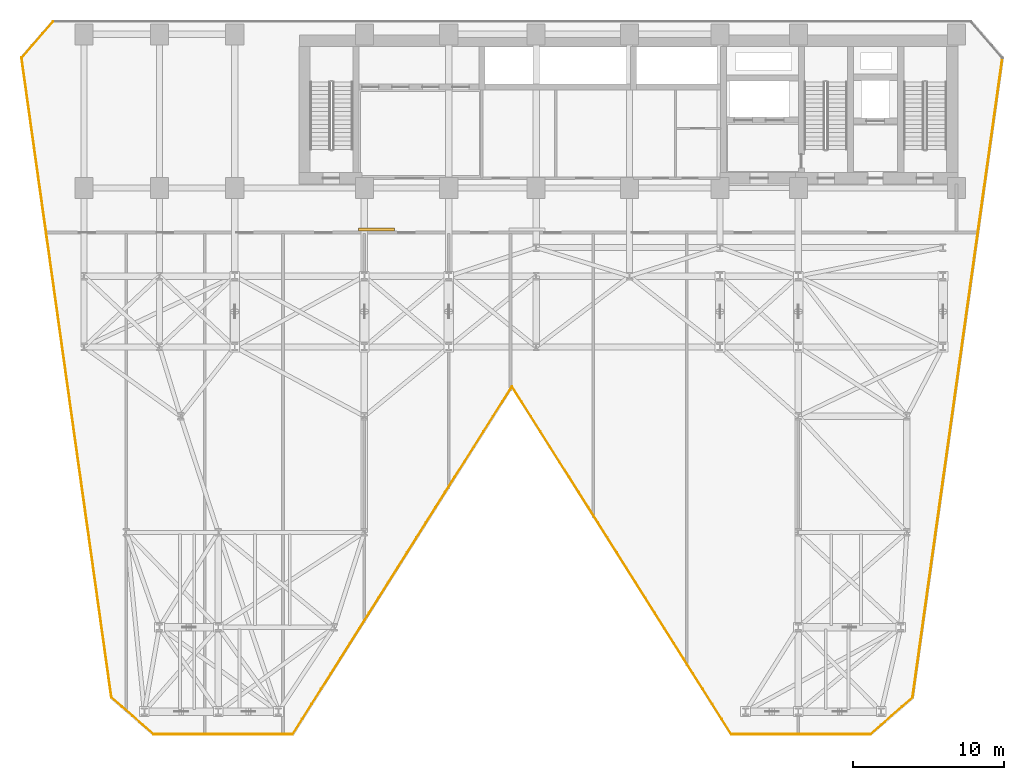
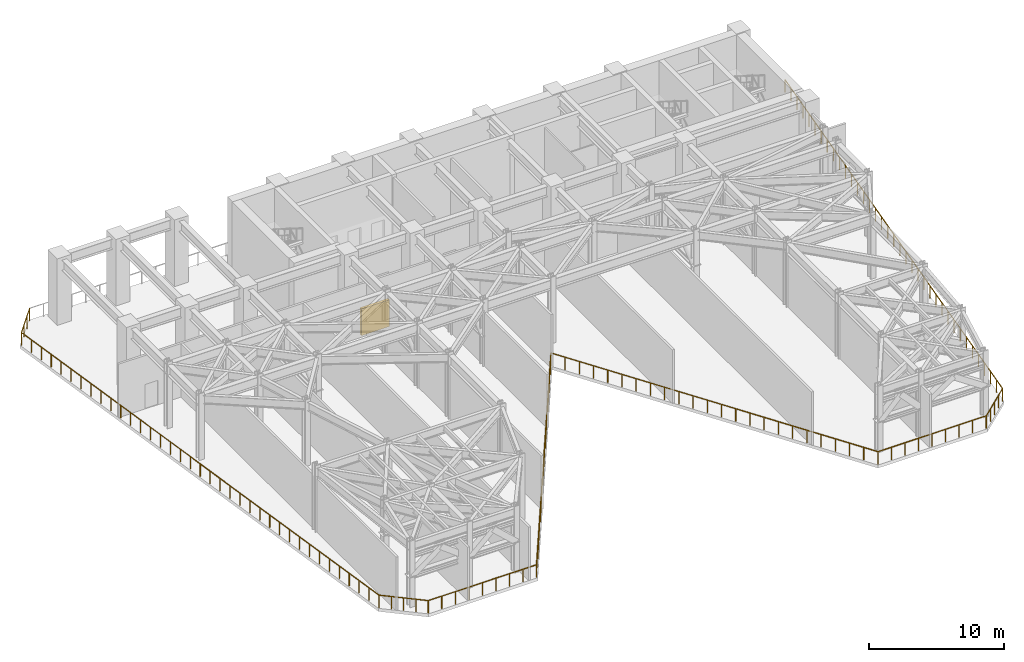
# One storey, part 9 of 12: 9 railings, 1 shading device.
"""IFC4 building model written with IfcOpenShell, lengths in metres."""

from ifc_helpers import new_model, si_unit, direction, frame, origin, origin_2d, place, context, subcontext, project, spatial, rectangle, circle, extrude, material, layer, layer_set, type_object, element, save


model = new_model("IFC4")

# Units and contexts
model_context = context("Model", 3, precision=1e-05, world=origin(), true_north=direction((0.0, 1.0)))
body_context = subcontext(model_context, "Body", "Model", "MODEL_VIEW")
ifc_project = project(units=[si_unit("LENGTHUNIT", "METRE"), si_unit("AREAUNIT", "SQUARE_METRE"), si_unit("VOLUMEUNIT", "CUBIC_METRE"), si_unit("PLANEANGLEUNIT", "RADIAN"), si_unit("MASSUNIT", "GRAM", prefix="KILO")], contexts=[model_context])

# Site, building, storey
site_placement = place(None, origin())
site = spatial("IfcSite", under=ifc_project, at=site_placement, CompositionType="ELEMENT")
building_placement = place(site_placement, origin())
building = spatial("IfcBuilding", under=site, at=building_placement, Name="Kravanh Interchange Tower", CompositionType="ELEMENT")
storey_placement = place(building_placement, frame((0.0, 0.0, 85.5)))
storey = spatial("IfcBuildingStorey", under=building, at=storey_placement, Name="L20", CompositionType="ELEMENT", Elevation=85.5)

# Shading device
ifc_material_1 = material(Name="Extruded Bronze Aluminium Acoustic Blades", Category="aluminium")
ifc_layer_1 = layer(ifc_material_1, 0.219970703125)
ifc_layer_set_1 = layer_set([ifc_layer_1], Name="Acoustic Weatherproof Plant Louvre Bank")
shading_device_type = type_object("IfcShadingDeviceType", Name="Acoustic Weatherproof Plant Louvre Bank", PredefinedType="JALOUSIE", material=ifc_layer_set_1)
shading_device_placement = place(storey_placement, frame((28.0, 34.60009765625, 0.0), z_axis=(0.0, 0.0, 1.0), x_axis=(1.0, 0.0, 0.0)))
element("IfcShadingDevice", 1, at=shading_device_placement, inside=storey, type_object=shading_device_type, Name="L20 Plant Acoustic Intake Louvre 1", PredefinedType="JALOUSIE", context=body_context, shape_type="SweptSolid", body=[
    extrude(rectangle(XDim=2.39990234375, YDim=0.219970703125, at=origin_2d()), origin(), (0.0, 0.0, 1.0), 2.39990234375),
])

# Railings
ifc_material_2 = material(Name="Structural Steel S355", Category="steel")
ifc_layer_2 = layer(ifc_material_2, 0.070068359375)
ifc_layer_set_2 = layer_set([ifc_layer_2], Name="Wind Storey Perimeter Safety Guardrail Structural Steel S355 1150mm")
railing_type = type_object("IfcRailingType", Name="Wind Storey Perimeter Safety Guardrail Structural Steel S355 1150mm", PredefinedType="GUARDRAIL", material=ifc_layer_set_2)
railing_1_placement = place(storey_placement, frame((10.421630859375, 3.526611328125, 0.0)))
element("IfcRailing", 2, at=railing_1_placement, inside=storey, type_object=railing_type, Name="L20 Open Wind Floor Perimeter Guardrail 1", PredefinedType="GUARDRAIL", context=body_context, shape_type="SweptSolid", body=[
    extrude(circle(Radius=0.02392578125, at=origin_2d()), frame((0.0, 0.0, 1.1259765625), z_axis=(-0.139172573885, 0.990268142817, 0.0), x_axis=(-0.990268142817, -0.139172573885, 0.0)), (0.0, 0.0, 1.0), 42.8837890625),
    extrude(circle(Radius=0.02099609375, at=origin_2d()), origin(), (0.0, 0.0, 1.0), 1.101806640625),
    extrude(circle(Radius=0.02099609375, at=origin_2d()), frame((-0.165771484375, 1.1796875, 0.0)), (0.0, 0.0, 1.0), 1.101806640625),
    extrude(circle(Radius=0.02099609375, at=origin_2d()), frame((-0.33154296875, 2.359375, 0.0)), (0.0, 0.0, 1.0), 1.101806640625),
    extrude(circle(Radius=0.02099609375, at=origin_2d()), frame((-0.497314453125, 3.538818359375, 0.0)), (0.0, 0.0, 1.0), 1.101806640625),
    extrude(circle(Radius=0.02099609375, at=origin_2d()), frame((-0.6630859375, 4.718505859375, 0.0)), (0.0, 0.0, 1.0), 1.101806640625),
    extrude(circle(Radius=0.02099609375, at=origin_2d()), frame((-0.828857421875, 5.898193359375, 0.0)), (0.0, 0.0, 1.0), 1.101806640625),
    extrude(circle(Radius=0.02099609375, at=origin_2d()), frame((-0.99462890625, 7.07763671875, 0.0)), (0.0, 0.0, 1.0), 1.101806640625),
    extrude(circle(Radius=0.02099609375, at=origin_2d()), frame((-1.160400390625, 8.25732421875, 0.0)), (0.0, 0.0, 1.0), 1.101806640625),
    extrude(circle(Radius=0.02099609375, at=origin_2d()), frame((-1.326171875, 9.43701171875, 0.0)), (0.0, 0.0, 1.0), 1.101806640625),
    extrude(circle(Radius=0.02099609375, at=origin_2d()), frame((-1.4921875, 10.61669921875, 0.0)), (0.0, 0.0, 1.0), 1.101806640625),
    extrude(circle(Radius=0.02099609375, at=origin_2d()), frame((-1.657958984375, 11.79638671875, 0.0)), (0.0, 0.0, 1.0), 1.101806640625),
    extrude(circle(Radius=0.02099609375, at=origin_2d()), frame((-1.82373046875, 12.975830078125, 0.0)), (0.0, 0.0, 1.0), 1.101806640625),
    extrude(circle(Radius=0.02099609375, at=origin_2d()), frame((-1.989501953125, 14.155517578125, 0.0)), (0.0, 0.0, 1.0), 1.101806640625),
    extrude(circle(Radius=0.02099609375, at=origin_2d()), frame((-2.1552734375, 15.335205078125, 0.0)), (0.0, 0.0, 1.0), 1.101806640625),
    extrude(circle(Radius=0.02099609375, at=origin_2d()), frame((-2.321044921875, 16.5146484375, 0.0)), (0.0, 0.0, 1.0), 1.101806640625),
    extrude(circle(Radius=0.02099609375, at=origin_2d()), frame((-2.48681640625, 17.6943359375, 0.0)), (0.0, 0.0, 1.0), 1.101806640625),
    extrude(circle(Radius=0.02099609375, at=origin_2d()), frame((-2.652587890625, 18.8740234375, 0.0)), (0.0, 0.0, 1.0), 1.101806640625),
    extrude(circle(Radius=0.02099609375, at=origin_2d()), frame((-2.818359375, 20.0537109375, 0.0)), (0.0, 0.0, 1.0), 1.101806640625),
    extrude(circle(Radius=0.02099609375, at=origin_2d()), frame((-2.984130859375, 21.2333984375, 0.0)), (0.0, 0.0, 1.0), 1.101806640625),
    extrude(circle(Radius=0.02099609375, at=origin_2d()), frame((-3.14990234375, 22.412841796875, 0.0)), (0.0, 0.0, 1.0), 1.101806640625),
    extrude(circle(Radius=0.02099609375, at=origin_2d()), frame((-3.315673828125, 23.592529296875, 0.0)), (0.0, 0.0, 1.0), 1.101806640625),
    extrude(circle(Radius=0.02099609375, at=origin_2d()), frame((-3.4814453125, 24.772216796875, 0.0)), (0.0, 0.0, 1.0), 1.101806640625),
    extrude(circle(Radius=0.02099609375, at=origin_2d()), frame((-3.647216796875, 25.951904296875, 0.0)), (0.0, 0.0, 1.0), 1.101806640625),
    extrude(circle(Radius=0.02099609375, at=origin_2d()), frame((-3.81298828125, 27.13134765625, 0.0)), (0.0, 0.0, 1.0), 1.101806640625),
    extrude(circle(Radius=0.02099609375, at=origin_2d()), frame((-3.978759765625, 28.31103515625, 0.0)), (0.0, 0.0, 1.0), 1.101806640625),
    extrude(circle(Radius=0.02099609375, at=origin_2d()), frame((-4.14453125, 29.49072265625, 0.0)), (0.0, 0.0, 1.0), 1.101806640625),
    extrude(circle(Radius=0.02099609375, at=origin_2d()), frame((-4.310302734375, 30.67041015625, 0.0)), (0.0, 0.0, 1.0), 1.101806640625),
    extrude(circle(Radius=0.02099609375, at=origin_2d()), frame((-4.47607421875, 31.849853515625, 0.0)), (0.0, 0.0, 1.0), 1.101806640625),
    extrude(circle(Radius=0.02099609375, at=origin_2d()), frame((-4.64208984375, 33.029541015625, 0.0)), (0.0, 0.0, 1.0), 1.101806640625),
    extrude(circle(Radius=0.02099609375, at=origin_2d()), frame((-4.807861328125, 34.209228515625, 0.0)), (0.0, 0.0, 1.0), 1.101806640625),
    extrude(circle(Radius=0.02099609375, at=origin_2d()), frame((-4.9736328125, 35.388671875, 0.0)), (0.0, 0.0, 1.0), 1.101806640625),
    extrude(circle(Radius=0.02099609375, at=origin_2d()), frame((-5.139404296875, 36.568359375, 0.0)), (0.0, 0.0, 1.0), 1.101806640625),
    extrude(circle(Radius=0.02099609375, at=origin_2d()), frame((-5.30517578125, 37.748046875, 0.0)), (0.0, 0.0, 1.0), 1.101806640625),
    extrude(circle(Radius=0.02099609375, at=origin_2d()), frame((-5.470947265625, 38.927734375, 0.0)), (0.0, 0.0, 1.0), 1.101806640625),
    extrude(circle(Radius=0.02099609375, at=origin_2d()), frame((-5.63671875, 40.107421875, 0.0)), (0.0, 0.0, 1.0), 1.101806640625),
    extrude(circle(Radius=0.02099609375, at=origin_2d()), frame((-5.802490234375, 41.286865234375, 0.0)), (0.0, 0.0, 1.0), 1.101806640625),
    extrude(circle(Radius=0.02099609375, at=origin_2d()), frame((-5.96826171875, 42.466552734375, 0.0)), (0.0, 0.0, 1.0), 1.101806640625),
])
railing_2_placement = place(storey_placement, frame((4.453369140625, 45.9931640625, 0.0)))
element("IfcRailing", 3, at=railing_2_placement, inside=storey, type_object=railing_type, Name="L20 Open Wind Floor Perimeter Guardrail 2", PredefinedType="GUARDRAIL", context=body_context, shape_type="SweptSolid", body=[
    extrude(circle(Radius=0.02392578125, at=origin_2d()), frame((0.0, 0.0, 1.1259765625), z_axis=(0.656083941969, 0.754687922979, 0.0), x_axis=(-0.754687922979, 0.656083941969, 0.0)), (0.0, 0.0, 1.0), 3.18896484375),
    extrude(circle(Radius=0.02099609375, at=origin_2d()), origin(), (0.0, 0.0, 1.0), 1.101806640625),
    extrude(circle(Radius=0.02099609375, at=origin_2d()), frame((0.697509765625, 0.80224609375, 0.0)), (0.0, 0.0, 1.0), 1.101806640625),
    extrude(circle(Radius=0.02099609375, at=origin_2d()), frame((1.394775390625, 1.6044921875, 0.0)), (0.0, 0.0, 1.0), 1.101806640625),
    extrude(circle(Radius=0.02099609375, at=origin_2d()), frame((2.09228515625, 2.40673828125, 0.0)), (0.0, 0.0, 1.0), 1.101806640625),
])
railing_3_placement = place(storey_placement, frame((69.546630859375, 45.9931640625, 0.0)))
element("IfcRailing", 4, at=railing_3_placement, inside=storey, type_object=railing_type, Name="L20 Open Wind Floor Perimeter Guardrail 5", PredefinedType="GUARDRAIL", context=body_context, shape_type="SweptSolid", body=[
    extrude(circle(Radius=0.02392578125, at=origin_2d()), frame((0.0, 0.0, 1.1259765625), z_axis=(-0.139172573885, -0.990268142817, 0.0), x_axis=(0.990268142817, -0.139172573885, 0.0)), (0.0, 0.0, 1.0), 42.8837890625),
    extrude(circle(Radius=0.02099609375, at=origin_2d()), origin(), (0.0, 0.0, 1.0), 1.101806640625),
    extrude(circle(Radius=0.02099609375, at=origin_2d()), frame((-0.165771484375, -1.1796875, 0.0)), (0.0, 0.0, 1.0), 1.101806640625),
    extrude(circle(Radius=0.02099609375, at=origin_2d()), frame((-0.33154296875, -2.359375, 0.0)), (0.0, 0.0, 1.0), 1.101806640625),
    extrude(circle(Radius=0.02099609375, at=origin_2d()), frame((-0.497314453125, -3.538818359375, 0.0)), (0.0, 0.0, 1.0), 1.101806640625),
    extrude(circle(Radius=0.02099609375, at=origin_2d()), frame((-0.6630859375, -4.718505859375, 0.0)), (0.0, 0.0, 1.0), 1.101806640625),
    extrude(circle(Radius=0.02099609375, at=origin_2d()), frame((-0.828857421875, -5.898193359375, 0.0)), (0.0, 0.0, 1.0), 1.101806640625),
    extrude(circle(Radius=0.02099609375, at=origin_2d()), frame((-0.99462890625, -7.07763671875, 0.0)), (0.0, 0.0, 1.0), 1.101806640625),
    extrude(circle(Radius=0.02099609375, at=origin_2d()), frame((-1.160400390625, -8.25732421875, 0.0)), (0.0, 0.0, 1.0), 1.101806640625),
    extrude(circle(Radius=0.02099609375, at=origin_2d()), frame((-1.326171875, -9.43701171875, 0.0)), (0.0, 0.0, 1.0), 1.101806640625),
    extrude(circle(Radius=0.02099609375, at=origin_2d()), frame((-1.4921875, -10.61669921875, 0.0)), (0.0, 0.0, 1.0), 1.101806640625),
    extrude(circle(Radius=0.02099609375, at=origin_2d()), frame((-1.657958984375, -11.79638671875, 0.0)), (0.0, 0.0, 1.0), 1.101806640625),
    extrude(circle(Radius=0.02099609375, at=origin_2d()), frame((-1.82373046875, -12.975830078125, 0.0)), (0.0, 0.0, 1.0), 1.101806640625),
    extrude(circle(Radius=0.02099609375, at=origin_2d()), frame((-1.989501953125, -14.155517578125, 0.0)), (0.0, 0.0, 1.0), 1.101806640625),
    extrude(circle(Radius=0.02099609375, at=origin_2d()), frame((-2.1552734375, -15.335205078125, 0.0)), (0.0, 0.0, 1.0), 1.101806640625),
    extrude(circle(Radius=0.02099609375, at=origin_2d()), frame((-2.321044921875, -16.5146484375, 0.0)), (0.0, 0.0, 1.0), 1.101806640625),
    extrude(circle(Radius=0.02099609375, at=origin_2d()), frame((-2.48681640625, -17.6943359375, 0.0)), (0.0, 0.0, 1.0), 1.101806640625),
    extrude(circle(Radius=0.02099609375, at=origin_2d()), frame((-2.652587890625, -18.8740234375, 0.0)), (0.0, 0.0, 1.0), 1.101806640625),
    extrude(circle(Radius=0.02099609375, at=origin_2d()), frame((-2.818359375, -20.0537109375, 0.0)), (0.0, 0.0, 1.0), 1.101806640625),
    extrude(circle(Radius=0.02099609375, at=origin_2d()), frame((-2.984130859375, -21.2333984375, 0.0)), (0.0, 0.0, 1.0), 1.101806640625),
    extrude(circle(Radius=0.02099609375, at=origin_2d()), frame((-3.14990234375, -22.412841796875, 0.0)), (0.0, 0.0, 1.0), 1.101806640625),
    extrude(circle(Radius=0.02099609375, at=origin_2d()), frame((-3.315673828125, -23.592529296875, 0.0)), (0.0, 0.0, 1.0), 1.101806640625),
    extrude(circle(Radius=0.02099609375, at=origin_2d()), frame((-3.4814453125, -24.772216796875, 0.0)), (0.0, 0.0, 1.0), 1.101806640625),
    extrude(circle(Radius=0.02099609375, at=origin_2d()), frame((-3.647216796875, -25.951904296875, 0.0)), (0.0, 0.0, 1.0), 1.101806640625),
    extrude(circle(Radius=0.02099609375, at=origin_2d()), frame((-3.81298828125, -27.13134765625, 0.0)), (0.0, 0.0, 1.0), 1.101806640625),
    extrude(circle(Radius=0.02099609375, at=origin_2d()), frame((-3.978759765625, -28.31103515625, 0.0)), (0.0, 0.0, 1.0), 1.101806640625),
    extrude(circle(Radius=0.02099609375, at=origin_2d()), frame((-4.14453125, -29.49072265625, 0.0)), (0.0, 0.0, 1.0), 1.101806640625),
    extrude(circle(Radius=0.02099609375, at=origin_2d()), frame((-4.310302734375, -30.67041015625, 0.0)), (0.0, 0.0, 1.0), 1.101806640625),
    extrude(circle(Radius=0.02099609375, at=origin_2d()), frame((-4.47607421875, -31.849853515625, 0.0)), (0.0, 0.0, 1.0), 1.101806640625),
    extrude(circle(Radius=0.02099609375, at=origin_2d()), frame((-4.64208984375, -33.029541015625, 0.0)), (0.0, 0.0, 1.0), 1.101806640625),
    extrude(circle(Radius=0.02099609375, at=origin_2d()), frame((-4.807861328125, -34.209228515625, 0.0)), (0.0, 0.0, 1.0), 1.101806640625),
    extrude(circle(Radius=0.02099609375, at=origin_2d()), frame((-4.9736328125, -35.388671875, 0.0)), (0.0, 0.0, 1.0), 1.101806640625),
    extrude(circle(Radius=0.02099609375, at=origin_2d()), frame((-5.139404296875, -36.568359375, 0.0)), (0.0, 0.0, 1.0), 1.101806640625),
    extrude(circle(Radius=0.02099609375, at=origin_2d()), frame((-5.30517578125, -37.748046875, 0.0)), (0.0, 0.0, 1.0), 1.101806640625),
    extrude(circle(Radius=0.02099609375, at=origin_2d()), frame((-5.470947265625, -38.927734375, 0.0)), (0.0, 0.0, 1.0), 1.101806640625),
    extrude(circle(Radius=0.02099609375, at=origin_2d()), frame((-5.63671875, -40.107421875, 0.0)), (0.0, 0.0, 1.0), 1.101806640625),
    extrude(circle(Radius=0.02099609375, at=origin_2d()), frame((-5.802490234375, -41.286865234375, 0.0)), (0.0, 0.0, 1.0), 1.101806640625),
    extrude(circle(Radius=0.02099609375, at=origin_2d()), frame((-5.96826171875, -42.466552734375, 0.0)), (0.0, 0.0, 1.0), 1.101806640625),
])
railing_4_placement = place(storey_placement, frame((63.578369140625, 3.526611328125, 0.0)))
element("IfcRailing", 5, at=railing_4_placement, inside=storey, type_object=railing_type, Name="L20 Open Wind Floor Perimeter Guardrail 6", PredefinedType="GUARDRAIL", context=body_context, shape_type="SweptSolid", body=[
    extrude(circle(Radius=0.02392578125, at=origin_2d()), frame((0.0, 0.0, 1.1259765625), z_axis=(-0.754723455652, -0.656043066794, 0.0), x_axis=(0.656043066794, -0.754723455652, 0.0)), (0.0, 0.0, 1.0), 3.69873046875),
    extrude(circle(Radius=0.02099609375, at=origin_2d()), origin(), (0.0, 0.0, 1.0), 1.101806640625),
    extrude(circle(Radius=0.02099609375, at=origin_2d()), frame((-0.69775390625, -0.606689453125, 0.0)), (0.0, 0.0, 1.0), 1.101806640625),
    extrude(circle(Radius=0.02099609375, at=origin_2d()), frame((-1.395751953125, -1.21337890625, 0.0)), (0.0, 0.0, 1.0), 1.101806640625),
    extrude(circle(Radius=0.02099609375, at=origin_2d()), frame((-2.09375, -1.81982421875, 0.0)), (0.0, 0.0, 1.0), 1.101806640625),
    extrude(circle(Radius=0.02099609375, at=origin_2d()), frame((-2.79150390625, -2.426513671875, 0.0)), (0.0, 0.0, 1.0), 1.101806640625),
])
railing_5_placement = place(storey_placement, frame((60.786865234375, 1.10009765625, 0.0)))
element("IfcRailing", 6, at=railing_5_placement, inside=storey, type_object=railing_type, Name="L20 Open Wind Floor Perimeter Guardrail 7", PredefinedType="GUARDRAIL", context=body_context, shape_type="SweptSolid", body=[
    extrude(circle(Radius=0.02392578125, at=origin_2d()), frame((0.0, 0.0, 1.1259765625), z_axis=(-1.0, 0.0, 0.0), x_axis=(0.0, -1.0, 0.0)), (0.0, 0.0, 1.0), 9.231689453125),
    extrude(circle(Radius=0.02099609375, at=origin_2d()), origin(), (0.0, 0.0, 1.0), 1.101806640625),
    extrude(circle(Radius=0.02099609375, at=origin_2d()), frame((-1.154052734375, 0.0, 0.0)), (0.0, 0.0, 1.0), 1.101806640625),
    extrude(circle(Radius=0.02099609375, at=origin_2d()), frame((-2.307861328125, 0.0, 0.0)), (0.0, 0.0, 1.0), 1.101806640625),
    extrude(circle(Radius=0.02099609375, at=origin_2d()), frame((-3.4619140625, 0.0, 0.0)), (0.0, 0.0, 1.0), 1.101806640625),
    extrude(circle(Radius=0.02099609375, at=origin_2d()), frame((-4.61572265625, 0.0, 0.0)), (0.0, 0.0, 1.0), 1.101806640625),
    extrude(circle(Radius=0.02099609375, at=origin_2d()), frame((-5.769775390625, 0.0, 0.0)), (0.0, 0.0, 1.0), 1.101806640625),
    extrude(circle(Radius=0.02099609375, at=origin_2d()), frame((-6.923828125, 0.0, 0.0)), (0.0, 0.0, 1.0), 1.101806640625),
    extrude(circle(Radius=0.02099609375, at=origin_2d()), frame((-8.07763671875, 0.0, 0.0)), (0.0, 0.0, 1.0), 1.101806640625),
    extrude(circle(Radius=0.02099609375, at=origin_2d()), frame((-9.231689453125, 0.0, 0.0)), (0.0, 0.0, 1.0), 1.101806640625),
])
railing_6_placement = place(storey_placement, frame((51.55517578125, 1.10009765625, 0.0)))
element("IfcRailing", 7, at=railing_6_placement, inside=storey, type_object=railing_type, Name="L20 Open Wind Floor Perimeter Guardrail 8", PredefinedType="GUARDRAIL", context=body_context, shape_type="SweptSolid", body=[
    extrude(circle(Radius=0.02392578125, at=origin_2d()), frame((0.0, 0.0, 1.1259765625), z_axis=(-0.533302871563, 0.845924374387, 0.0), x_axis=(-0.845924374387, -0.533302871563, 0.0)), (0.0, 0.0, 1.0), 27.29248046875),
    extrude(circle(Radius=0.02099609375, at=origin_2d()), origin(), (0.0, 0.0, 1.0), 1.101806640625),
    extrude(circle(Radius=0.02099609375, at=origin_2d()), frame((-0.6328125, 1.00390625, 0.0)), (0.0, 0.0, 1.0), 1.101806640625),
    extrude(circle(Radius=0.02099609375, at=origin_2d()), frame((-1.265625, 2.007568359375, 0.0)), (0.0, 0.0, 1.0), 1.101806640625),
    extrude(circle(Radius=0.02099609375, at=origin_2d()), frame((-1.8984375, 3.011474609375, 0.0)), (0.0, 0.0, 1.0), 1.101806640625),
    extrude(circle(Radius=0.02099609375, at=origin_2d()), frame((-2.53125, 4.01513671875, 0.0)), (0.0, 0.0, 1.0), 1.101806640625),
    extrude(circle(Radius=0.02099609375, at=origin_2d()), frame((-3.1640625, 5.01904296875, 0.0)), (0.0, 0.0, 1.0), 1.101806640625),
    extrude(circle(Radius=0.02099609375, at=origin_2d()), frame((-3.797119140625, 6.022705078125, 0.0)), (0.0, 0.0, 1.0), 1.101806640625),
    extrude(circle(Radius=0.02099609375, at=origin_2d()), frame((-4.429931640625, 7.026611328125, 0.0)), (0.0, 0.0, 1.0), 1.101806640625),
    extrude(circle(Radius=0.02099609375, at=origin_2d()), frame((-5.062744140625, 8.030517578125, 0.0)), (0.0, 0.0, 1.0), 1.101806640625),
    extrude(circle(Radius=0.02099609375, at=origin_2d()), frame((-5.695556640625, 9.0341796875, 0.0)), (0.0, 0.0, 1.0), 1.101806640625),
    extrude(circle(Radius=0.02099609375, at=origin_2d()), frame((-6.328369140625, 10.0380859375, 0.0)), (0.0, 0.0, 1.0), 1.101806640625),
    extrude(circle(Radius=0.02099609375, at=origin_2d()), frame((-6.961181640625, 11.041748046875, 0.0)), (0.0, 0.0, 1.0), 1.101806640625),
    extrude(circle(Radius=0.02099609375, at=origin_2d()), frame((-7.593994140625, 12.045654296875, 0.0)), (0.0, 0.0, 1.0), 1.101806640625),
    extrude(circle(Radius=0.02099609375, at=origin_2d()), frame((-8.226806640625, 13.04931640625, 0.0)), (0.0, 0.0, 1.0), 1.101806640625),
    extrude(circle(Radius=0.02099609375, at=origin_2d()), frame((-8.859619140625, 14.05322265625, 0.0)), (0.0, 0.0, 1.0), 1.101806640625),
    extrude(circle(Radius=0.02099609375, at=origin_2d()), frame((-9.492431640625, 15.056884765625, 0.0)), (0.0, 0.0, 1.0), 1.101806640625),
    extrude(circle(Radius=0.02099609375, at=origin_2d()), frame((-10.125244140625, 16.060791015625, 0.0)), (0.0, 0.0, 1.0), 1.101806640625),
    extrude(circle(Radius=0.02099609375, at=origin_2d()), frame((-10.758056640625, 17.064697265625, 0.0)), (0.0, 0.0, 1.0), 1.101806640625),
    extrude(circle(Radius=0.02099609375, at=origin_2d()), frame((-11.39111328125, 18.068359375, 0.0)), (0.0, 0.0, 1.0), 1.101806640625),
    extrude(circle(Radius=0.02099609375, at=origin_2d()), frame((-12.02392578125, 19.072265625, 0.0)), (0.0, 0.0, 1.0), 1.101806640625),
    extrude(circle(Radius=0.02099609375, at=origin_2d()), frame((-12.65673828125, 20.075927734375, 0.0)), (0.0, 0.0, 1.0), 1.101806640625),
    extrude(circle(Radius=0.02099609375, at=origin_2d()), frame((-13.28955078125, 21.079833984375, 0.0)), (0.0, 0.0, 1.0), 1.101806640625),
    extrude(circle(Radius=0.02099609375, at=origin_2d()), frame((-13.92236328125, 22.08349609375, 0.0)), (0.0, 0.0, 1.0), 1.101806640625),
    extrude(circle(Radius=0.02099609375, at=origin_2d()), frame((-14.55517578125, 23.08740234375, 0.0)), (0.0, 0.0, 1.0), 1.101806640625),
])
railing_7_placement = place(storey_placement, frame((37.0, 24.1875, 0.0)))
element("IfcRailing", 8, at=railing_7_placement, inside=storey, type_object=railing_type, Name="L20 Open Wind Floor Perimeter Guardrail 9", PredefinedType="GUARDRAIL", context=body_context, shape_type="SweptSolid", body=[
    extrude(circle(Radius=0.02392578125, at=origin_2d()), frame((0.0, 0.0, 1.1259765625), z_axis=(-0.533302871563, -0.845924374387, 0.0), x_axis=(0.845924374387, -0.533302871563, 0.0)), (0.0, 0.0, 1.0), 27.29248046875),
    extrude(circle(Radius=0.02099609375, at=origin_2d()), origin(), (0.0, 0.0, 1.0), 1.101806640625),
    extrude(circle(Radius=0.02099609375, at=origin_2d()), frame((-0.6328125, -1.00390625, 0.0)), (0.0, 0.0, 1.0), 1.101806640625),
    extrude(circle(Radius=0.02099609375, at=origin_2d()), frame((-1.265625, -2.007568359375, 0.0)), (0.0, 0.0, 1.0), 1.101806640625),
    extrude(circle(Radius=0.02099609375, at=origin_2d()), frame((-1.8984375, -3.011474609375, 0.0)), (0.0, 0.0, 1.0), 1.101806640625),
    extrude(circle(Radius=0.02099609375, at=origin_2d()), frame((-2.53125, -4.01513671875, 0.0)), (0.0, 0.0, 1.0), 1.101806640625),
    extrude(circle(Radius=0.02099609375, at=origin_2d()), frame((-3.1640625, -5.01904296875, 0.0)), (0.0, 0.0, 1.0), 1.101806640625),
    extrude(circle(Radius=0.02099609375, at=origin_2d()), frame((-3.797119140625, -6.022705078125, 0.0)), (0.0, 0.0, 1.0), 1.101806640625),
    extrude(circle(Radius=0.02099609375, at=origin_2d()), frame((-4.429931640625, -7.026611328125, 0.0)), (0.0, 0.0, 1.0), 1.101806640625),
    extrude(circle(Radius=0.02099609375, at=origin_2d()), frame((-5.062744140625, -8.030517578125, 0.0)), (0.0, 0.0, 1.0), 1.101806640625),
    extrude(circle(Radius=0.02099609375, at=origin_2d()), frame((-5.695556640625, -9.0341796875, 0.0)), (0.0, 0.0, 1.0), 1.101806640625),
    extrude(circle(Radius=0.02099609375, at=origin_2d()), frame((-6.328369140625, -10.0380859375, 0.0)), (0.0, 0.0, 1.0), 1.101806640625),
    extrude(circle(Radius=0.02099609375, at=origin_2d()), frame((-6.961181640625, -11.041748046875, 0.0)), (0.0, 0.0, 1.0), 1.101806640625),
    extrude(circle(Radius=0.02099609375, at=origin_2d()), frame((-7.593994140625, -12.045654296875, 0.0)), (0.0, 0.0, 1.0), 1.101806640625),
    extrude(circle(Radius=0.02099609375, at=origin_2d()), frame((-8.226806640625, -13.04931640625, 0.0)), (0.0, 0.0, 1.0), 1.101806640625),
    extrude(circle(Radius=0.02099609375, at=origin_2d()), frame((-8.859619140625, -14.05322265625, 0.0)), (0.0, 0.0, 1.0), 1.101806640625),
    extrude(circle(Radius=0.02099609375, at=origin_2d()), frame((-9.492431640625, -15.056884765625, 0.0)), (0.0, 0.0, 1.0), 1.101806640625),
    extrude(circle(Radius=0.02099609375, at=origin_2d()), frame((-10.125244140625, -16.060791015625, 0.0)), (0.0, 0.0, 1.0), 1.101806640625),
    extrude(circle(Radius=0.02099609375, at=origin_2d()), frame((-10.758056640625, -17.064697265625, 0.0)), (0.0, 0.0, 1.0), 1.101806640625),
    extrude(circle(Radius=0.02099609375, at=origin_2d()), frame((-11.39111328125, -18.068359375, 0.0)), (0.0, 0.0, 1.0), 1.101806640625),
    extrude(circle(Radius=0.02099609375, at=origin_2d()), frame((-12.02392578125, -19.072265625, 0.0)), (0.0, 0.0, 1.0), 1.101806640625),
    extrude(circle(Radius=0.02099609375, at=origin_2d()), frame((-12.65673828125, -20.075927734375, 0.0)), (0.0, 0.0, 1.0), 1.101806640625),
    extrude(circle(Radius=0.02099609375, at=origin_2d()), frame((-13.28955078125, -21.079833984375, 0.0)), (0.0, 0.0, 1.0), 1.101806640625),
    extrude(circle(Radius=0.02099609375, at=origin_2d()), frame((-13.92236328125, -22.08349609375, 0.0)), (0.0, 0.0, 1.0), 1.101806640625),
    extrude(circle(Radius=0.02099609375, at=origin_2d()), frame((-14.55517578125, -23.08740234375, 0.0)), (0.0, 0.0, 1.0), 1.101806640625),
])
railing_8_placement = place(storey_placement, frame((22.44482421875, 1.10009765625, 0.0)))
element("IfcRailing", 9, at=railing_8_placement, inside=storey, type_object=railing_type, Name="L20 Open Wind Floor Perimeter Guardrail 10", PredefinedType="GUARDRAIL", context=body_context, shape_type="SweptSolid", body=[
    extrude(circle(Radius=0.02392578125, at=origin_2d()), frame((0.0, 0.0, 1.1259765625), z_axis=(-1.0, 0.0, 0.0), x_axis=(0.0, -1.0, 0.0)), (0.0, 0.0, 1.0), 9.231689453125),
    extrude(circle(Radius=0.02099609375, at=origin_2d()), origin(), (0.0, 0.0, 1.0), 1.101806640625),
    extrude(circle(Radius=0.02099609375, at=origin_2d()), frame((-1.154052734375, 0.0, 0.0)), (0.0, 0.0, 1.0), 1.101806640625),
    extrude(circle(Radius=0.02099609375, at=origin_2d()), frame((-2.307861328125, 0.0, 0.0)), (0.0, 0.0, 1.0), 1.101806640625),
    extrude(circle(Radius=0.02099609375, at=origin_2d()), frame((-3.4619140625, 0.0, 0.0)), (0.0, 0.0, 1.0), 1.101806640625),
    extrude(circle(Radius=0.02099609375, at=origin_2d()), frame((-4.61572265625, 0.0, 0.0)), (0.0, 0.0, 1.0), 1.101806640625),
    extrude(circle(Radius=0.02099609375, at=origin_2d()), frame((-5.769775390625, 0.0, 0.0)), (0.0, 0.0, 1.0), 1.101806640625),
    extrude(circle(Radius=0.02099609375, at=origin_2d()), frame((-6.923828125, 0.0, 0.0)), (0.0, 0.0, 1.0), 1.101806640625),
    extrude(circle(Radius=0.02099609375, at=origin_2d()), frame((-8.07763671875, 0.0, 0.0)), (0.0, 0.0, 1.0), 1.101806640625),
    extrude(circle(Radius=0.02099609375, at=origin_2d()), frame((-9.231689453125, 0.0, 0.0)), (0.0, 0.0, 1.0), 1.101806640625),
])
railing_9_placement = place(storey_placement, frame((13.213134765625, 1.10009765625, 0.0)))
element("IfcRailing", 10, at=railing_9_placement, inside=storey, type_object=railing_type, Name="L20 Open Wind Floor Perimeter Guardrail 11", PredefinedType="GUARDRAIL", context=body_context, shape_type="SweptSolid", body=[
    extrude(circle(Radius=0.02392578125, at=origin_2d()), frame((0.0, 0.0, 1.1259765625), z_axis=(-0.754723455652, 0.656043066794, 0.0), x_axis=(-0.656043066794, -0.754723455652, 0.0)), (0.0, 0.0, 1.0), 3.69873046875),
    extrude(circle(Radius=0.02099609375, at=origin_2d()), origin(), (0.0, 0.0, 1.0), 1.101806640625),
    extrude(circle(Radius=0.02099609375, at=origin_2d()), frame((-0.69775390625, 0.606689453125, 0.0)), (0.0, 0.0, 1.0), 1.101806640625),
    extrude(circle(Radius=0.02099609375, at=origin_2d()), frame((-1.395751953125, 1.21337890625, 0.0)), (0.0, 0.0, 1.0), 1.101806640625),
    extrude(circle(Radius=0.02099609375, at=origin_2d()), frame((-2.09375, 1.81982421875, 0.0)), (0.0, 0.0, 1.0), 1.101806640625),
    extrude(circle(Radius=0.02099609375, at=origin_2d()), frame((-2.79150390625, 2.426513671875, 0.0)), (0.0, 0.0, 1.0), 1.101806640625),
])

save(model, "model.ifc")
